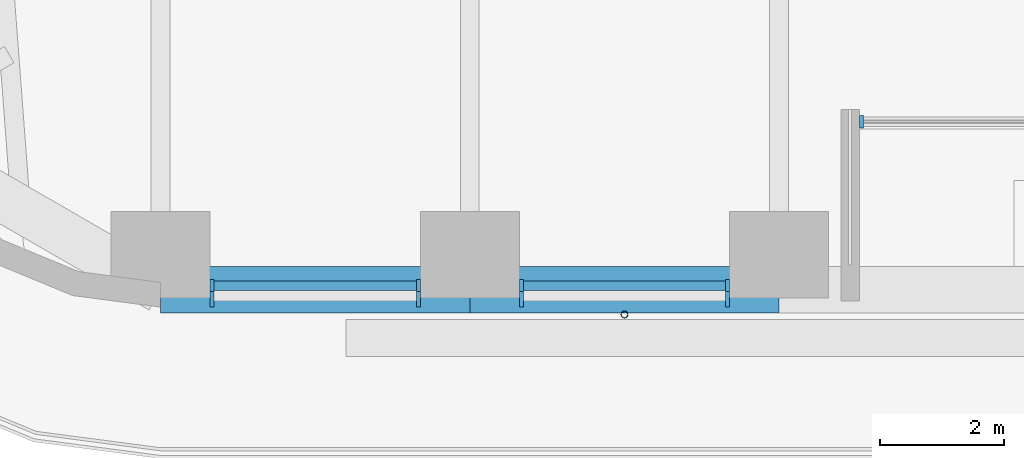
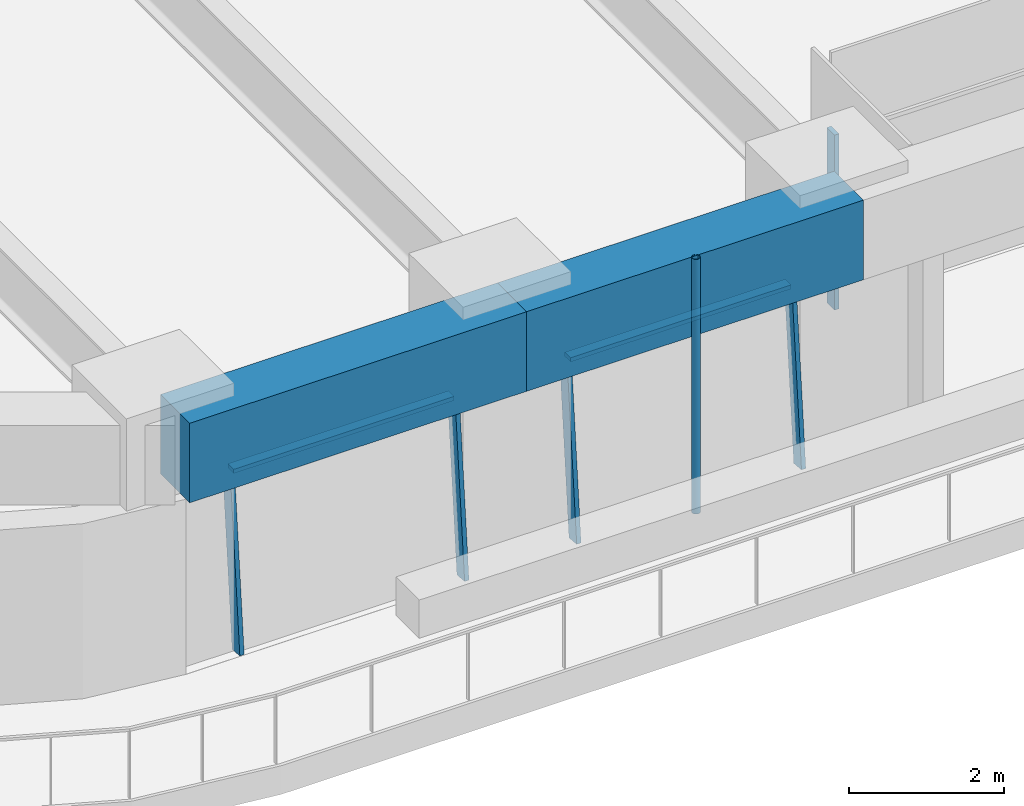
# One storey, part 2 of 24: 8 members, 2 beams, 3 elements without a shape of their own.
"""IFC4 building model written with IfcOpenShell, lengths in metres."""

from ifc_helpers import new_model, si_unit, direction, frame, origin, origin_2d, place, context, subcontext, project, spatial, rectangle, hollow_circle, extrude, material, material_profile, profile_set, type_object, element, aggregate, save


model = new_model("IFC4")

# Units and contexts
model_context = context("Model", 3, precision=1e-05, world=origin(), true_north=direction((0.0, 1.0)))
body_context = subcontext(model_context, "Body", "Model", "MODEL_VIEW")
ifc_project = project(units=[si_unit("LENGTHUNIT", "METRE"), si_unit("AREAUNIT", "SQUARE_METRE"), si_unit("VOLUMEUNIT", "CUBIC_METRE"), si_unit("PLANEANGLEUNIT", "RADIAN"), si_unit("MASSUNIT", "GRAM", prefix="KILO")], contexts=[model_context])

# Site, building, storey
site_placement = place(None, origin())
site = spatial("IfcSite", under=ifc_project, at=site_placement, CompositionType="ELEMENT")
building_placement = place(site_placement, origin())
building = spatial("IfcBuilding", under=site, at=building_placement, Name="Tarfa Lantern Tower", CompositionType="ELEMENT")
storey_placement = place(building_placement, frame((0.0, 0.0, 169.89990234375)))
storey = spatial("IfcBuildingStorey", under=building, at=storey_placement, Name="L38", CompositionType="ELEMENT", Elevation=169.89990234375)

# Curtain wall, members
ifc_material_1 = material(Name="Aluminium framed curtain wall", Category="aluminium")
curtain_wall_type_1 = type_object("IfcCurtainWallType", Name="CW2 CANTED GLAZING MID ZONE 2750", PredefinedType="USERDEFINED", material=ifc_material_1)
curtain_wall_1_placement = place(storey_placement, origin())
curtain_wall_1 = element("IfcCurtainWall", 1, at=curtain_wall_1_placement, inside=storey, type_object=curtain_wall_type_1, Name="CW2 S L38", ObjectType="CURTAIN WALL", PredefinedType="USERDEFINED")
ifc_material_2 = material(Name="Aluminium mullion", Category="aluminium")
ifc_material_profile_1 = material_profile(ifc_material_2, rectangle(XDim=0.06494140625, YDim=0.199951171875, at=origin_2d()), Name="AL MULLION 65x200")
ifc_profile_set_1 = profile_set([ifc_material_profile_1], Name="Aluminium mullion")
member_type_1 = type_object("IfcMemberType", Name="CWM1 MULLION 65x200", PredefinedType="MULLION", material=ifc_profile_set_1)
member_1_placement = place(storey_placement, frame((-14.1787109375, -31.39990234375, 0.0), z_axis=(0.0, 0.090535746043, 0.995893206468), x_axis=(-1.0, 0.0, 0.0)))
member_1 = element("IfcMember", 2, at=member_1_placement, type_object=member_type_1, Name="CW2 mullion 1", PredefinedType="MULLION", context=body_context, shape_type="SweptSolid", body=[
    extrude(rectangle(XDim=0.06494140625, YDim=0.199951171875, at=origin_2d()), origin(), (0.0, 0.0, 1.0), 2.76123046875),
])
member_2_placement = place(storey_placement, frame((-10.83984375, -31.39990234375, 0.0), z_axis=(0.0, 0.090535746043, 0.995893206468), x_axis=(-1.0, 0.0, 0.0)))
member_2 = element("IfcMember", 3, at=member_2_placement, type_object=member_type_1, Name="CW2 mullion 2", PredefinedType="MULLION", context=body_context, shape_type="SweptSolid", body=[
    extrude(rectangle(XDim=0.06494140625, YDim=0.199951171875, at=origin_2d()), origin(), (0.0, 0.0, 1.0), 2.76123046875),
])

curtain_wall_2_placement = place(storey_placement, origin())
curtain_wall_2 = element("IfcCurtainWall", 4, at=curtain_wall_2_placement, inside=storey, type_object=curtain_wall_type_1, Name="CW2 S L38", ObjectType="CURTAIN WALL", PredefinedType="USERDEFINED")
member_3_placement = place(storey_placement, frame((-9.1748046875, -31.39990234375, 0.0), z_axis=(0.0, 0.090535746043, 0.995893206468), x_axis=(-1.0, 0.0, 0.0)))
member_3 = element("IfcMember", 5, at=member_3_placement, type_object=member_type_1, Name="CW2 mullion 1", PredefinedType="MULLION", context=body_context, shape_type="SweptSolid", body=[
    extrude(rectangle(XDim=0.06494140625, YDim=0.199951171875, at=origin_2d()), origin(), (0.0, 0.0, 1.0), 2.76123046875),
])
member_4_placement = place(storey_placement, frame((-5.836181640625, -31.39990234375, 0.0), z_axis=(0.0, 0.090535746043, 0.995893206468), x_axis=(-1.0, 0.0, 0.0)))
member_4 = element("IfcMember", 6, at=member_4_placement, type_object=member_type_1, Name="CW2 mullion 2", PredefinedType="MULLION", context=body_context, shape_type="SweptSolid", body=[
    extrude(rectangle(XDim=0.06494140625, YDim=0.199951171875, at=origin_2d()), origin(), (0.0, 0.0, 1.0), 2.76123046875),
])

# Curtain wall, member
curtain_wall_type_2 = type_object("IfcCurtainWallType", Name="CW10 LOGGIA GLAZING 2750", PredefinedType="USERDEFINED", material=ifc_material_1)
curtain_wall_3_placement = place(storey_placement, origin())
curtain_wall_3 = element("IfcCurtainWall", 7, at=curtain_wall_3_placement, inside=storey, type_object=curtain_wall_type_2, Name="CW10 SL L38", ObjectType="CURTAIN WALL", PredefinedType="USERDEFINED")
member_5_placement = place(storey_placement, frame((-3.671142578125, -28.5, 0.0), z_axis=(0.0, 0.0, 1.0), x_axis=(1.0, 0.0, 0.0)))
member_5 = element("IfcMember", 8, at=member_5_placement, type_object=member_type_1, Name="CW10 mullion 1", PredefinedType="MULLION", context=body_context, shape_type="SweptSolid", body=[
    extrude(rectangle(XDim=0.06494140625, YDim=0.199951171875, at=origin_2d()), origin(), (0.0, 0.0, 1.0), 2.75),
])
aggregate(curtain_wall_3, [member_5])

# Member
ifc_material_3 = material(Name="Aluminium transom", Category="aluminium")
ifc_material_profile_2 = material_profile(ifc_material_3, rectangle(XDim=0.14990234375, YDim=0.06494140625, at=origin_2d()), Name="AL TRANSOM 150x65")
ifc_profile_set_2 = profile_set([ifc_material_profile_2], Name="Aluminium transom")
member_type_2 = type_object("IfcMemberType", Name="CWT1 TRANSOM 150x65", PredefinedType="USERDEFINED", material=ifc_profile_set_2)
member_6_placement = place(storey_placement, frame((-14.14599609375, -31.153076171875, 2.717529296875), z_axis=(1.0, 0.0, 0.0), x_axis=(0.0, 1.0, 0.0)))
member_6 = element("IfcMember", 9, at=member_6_placement, type_object=member_type_2, Name="CW2 transom 1.2", ObjectType="TRANSOM", PredefinedType="USERDEFINED", context=body_context, shape_type="SweptSolid", body=[
    extrude(rectangle(XDim=0.14990234375, YDim=0.06494140625, at=origin_2d()), origin(), (0.0, 0.0, 1.0), 3.273681640625),
])

aggregate(curtain_wall_1, [member_1, member_2, member_6])

member_7_placement = place(storey_placement, frame((-9.142333984375, -31.153076171875, 2.717529296875), z_axis=(1.0, 0.0, 0.0), x_axis=(0.0, 1.0, 0.0)))
member_7 = element("IfcMember", 10, at=member_7_placement, type_object=member_type_2, Name="CW2 transom 1.2", ObjectType="TRANSOM", PredefinedType="USERDEFINED", context=body_context, shape_type="SweptSolid", body=[
    extrude(rectangle(XDim=0.14990234375, YDim=0.06494140625, at=origin_2d()), origin(), (0.0, 0.0, 1.0), 3.273681640625),
])

aggregate(curtain_wall_2, [member_3, member_4, member_7])

# Beams
ifc_material_4 = material(Name="Concrete C80/95", Category="concrete")
ifc_material_profile_3 = material_profile(ifc_material_4, rectangle(XDim=0.75, YDim=1.25, at=origin_2d()), Name="RC 750x1250")
ifc_profile_set_3 = profile_set([ifc_material_profile_3], Name="Concrete C80/95")
beam_type = type_object("IfcBeamType", Name="EB2 RC 750x1250", PredefinedType="SPANDREL", material=ifc_profile_set_3)
for number, where, z_axis, x_axis, name in (
    (11, (-15.010986328125, -31.219970703125, 3.375), (1.0, 0.0, 0.0), (0.0, 1.0, 0.0), "Edge beam S0"),
    (12, (-10.00732421875, -31.219970703125, 3.375), (1.0, 0.0, 0.0), (0.0, 1.0, 0.0), "Edge beam S1"),
):
    element("IfcBeam", number, at=place(storey_placement, frame(where, z_axis=z_axis, x_axis=x_axis)), inside=storey, type_object=beam_type, Name=name, PredefinedType="SPANDREL", context=body_context, shape_type="SweptSolid", body=[
        extrude(rectangle(XDim=0.75, YDim=1.25, at=origin_2d()), origin(), (0.0, 0.0, 1.0), 5.003662109375),
    ])

# Member
ifc_material_5 = material(Name="Steel S355", Category="steel")
ifc_material_profile_4 = material_profile(ifc_material_5, hollow_circle(Radius=0.05712890625, WallThickness=0.00634765625, at=origin_2d()), Name="CHS114.3x6.3")
ifc_profile_set_4 = profile_set([ifc_material_profile_4], Name="Steel S355")
member_type_3 = type_object("IfcMemberType", Name="TR1 GREEN WALL TRELLIS CHS114.3x6.3", PredefinedType="USERDEFINED", material=ifc_profile_set_4)
member_8_placement = place(storey_placement, frame((-7.505615234375, -31.6201171875, 0.0), z_axis=(0.0, 0.0, 1.0), x_axis=(1.0, 0.0, 0.0)))
element("IfcMember", 13, at=member_8_placement, inside=storey, type_object=member_type_3, Name="Trellis post S 1", ObjectType="TRELLIS", PredefinedType="USERDEFINED", context=body_context, shape_type="SweptSolid", body=[
    extrude(hollow_circle(Radius=0.05712890625, WallThickness=0.00634765625, at=origin_2d()), origin(), (0.0, 0.0, 1.0), 4.0),
])

save(model, "model.ifc")
